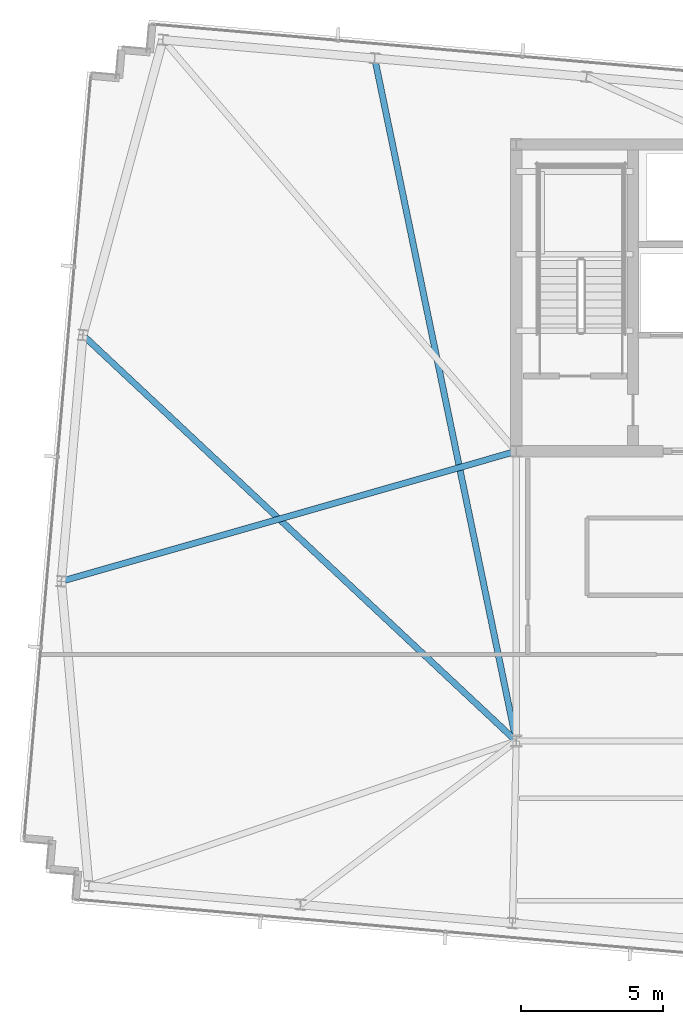
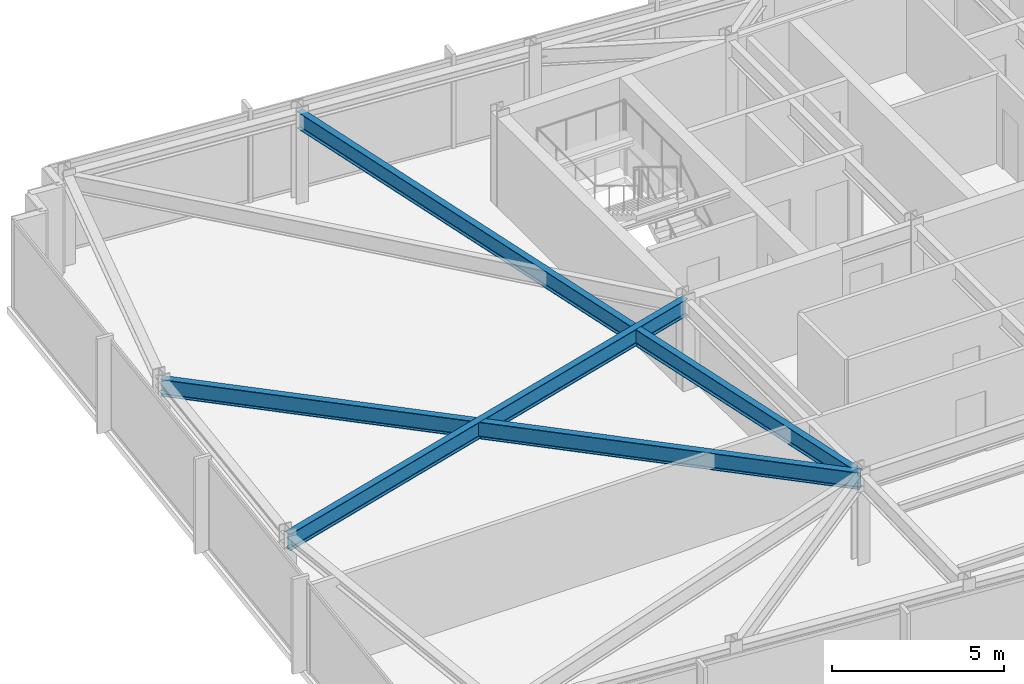
# One storey, part 10 of 32: 3 beams.
"""IFC4 building model written with IfcOpenShell, lengths in metres."""

from ifc_helpers import new_model, si_unit, direction, frame, origin, origin_2d, place, context, subcontext, project, spatial, i_section, extrude, material, material_profile, profile_set, type_object, element, save


model = new_model("IFC4")

# Units and contexts
model_context = context("Model", 3, precision=1e-05, world=origin(), true_north=direction((0.0, 1.0)))
body_context = subcontext(model_context, "Body", "Model", "MODEL_VIEW")
ifc_project = project(units=[si_unit("LENGTHUNIT", "METRE"), si_unit("AREAUNIT", "SQUARE_METRE"), si_unit("VOLUMEUNIT", "CUBIC_METRE"), si_unit("PLANEANGLEUNIT", "RADIAN"), si_unit("MASSUNIT", "GRAM", prefix="KILO")], contexts=[model_context])

# Site, building, storey
site_placement = place(None, origin())
site = spatial("IfcSite", under=ifc_project, at=site_placement, CompositionType="ELEMENT")
building_placement = place(site_placement, origin())
building = spatial("IfcBuilding", under=site, at=building_placement, Name="Yelkora Congress Tower", CompositionType="ELEMENT")
storey_placement = place(building_placement, frame((0.0, 0.0, 269.300048828125)))
storey = spatial("IfcBuildingStorey", under=building, at=storey_placement, Name="L75", CompositionType="ELEMENT", Elevation=269.300048828125)

# Beams
ifc_material = material(Name="Steel S355J2", Category="steel")
ifc_material_profile = material_profile(ifc_material, i_section(OverallWidth=0.219970703125, OverallDepth=0.60009765625, WebThickness=0.011962890625, FlangeThickness=0.01904296875, FilletRadius=0.02392578125, at=origin_2d()), Name="IPE 600")
ifc_profile_set = profile_set([ifc_material_profile], Name="Steel S355J2")
beam_type = type_object("IfcBeamType", Name="BM-GIRD-IPE600", PredefinedType="BEAM", material=ifc_profile_set)
beam_1_placement = place(storey_placement, frame((18.058837890625, 49.231689453125, 2.8798828125), z_axis=(0.202961834344, -0.979186649112, 0.0), x_axis=(0.979186649112, 0.202961834344, 0.0)))
element("IfcBeam", 1, at=beam_1_placement, inside=storey, type_object=beam_type, Name="L75 Primary Frame Girder N02", PredefinedType="BEAM", context=body_context, shape_type="SweptSolid", body=[
    extrude(i_section(OverallWidth=0.219970703125, OverallDepth=0.60009765625, WebThickness=0.011962890625, FlangeThickness=0.01904296875, FilletRadius=0.02392578125, at=origin_2d()), origin(), (0.0, 0.0, 1.0), 24.54248046875),
])
beam_2_placement = place(storey_placement, frame((7.029052734375, 30.822998046875, 2.8798828125), z_axis=(0.961486871307, 0.274850861932, 0.0), x_axis=(-0.274850861932, 0.961486871307, 0.0)))
element("IfcBeam", 2, at=beam_2_placement, inside=storey, type_object=beam_type, Name="L75 Primary Frame Girder W01", PredefinedType="BEAM", context=body_context, shape_type="SweptSolid", body=[
    extrude(i_section(OverallWidth=0.219970703125, OverallDepth=0.60009765625, WebThickness=0.011962890625, FlangeThickness=0.01904296875, FilletRadius=0.02392578125, at=origin_2d()), origin(), (0.0, 0.0, 1.0), 16.65234375),
])
beam_3_placement = place(storey_placement, frame((7.787353515625, 39.489990234375, 2.8798828125), z_axis=(0.729760461145, -0.683702910152, 0.0), x_axis=(0.683702910152, 0.729760461145, 0.0)))
element("IfcBeam", 3, at=beam_3_placement, inside=storey, type_object=beam_type, Name="L75 Primary Frame Girder W02", PredefinedType="BEAM", context=body_context, shape_type="SweptSolid", body=[
    extrude(i_section(OverallWidth=0.219970703125, OverallDepth=0.60009765625, WebThickness=0.011962890625, FlangeThickness=0.01904296875, FilletRadius=0.02392578125, at=origin_2d()), origin(), (0.0, 0.0, 1.0), 20.90087890625),
])

save(model, "model.ifc")
